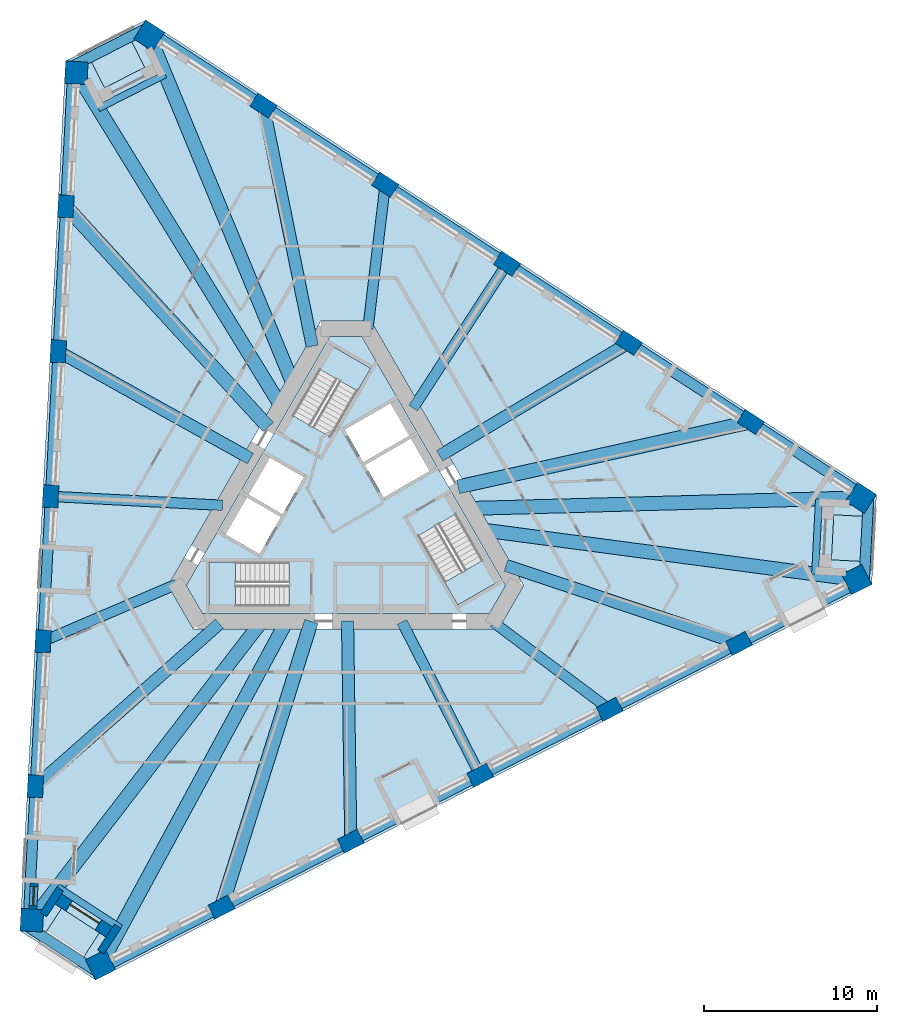
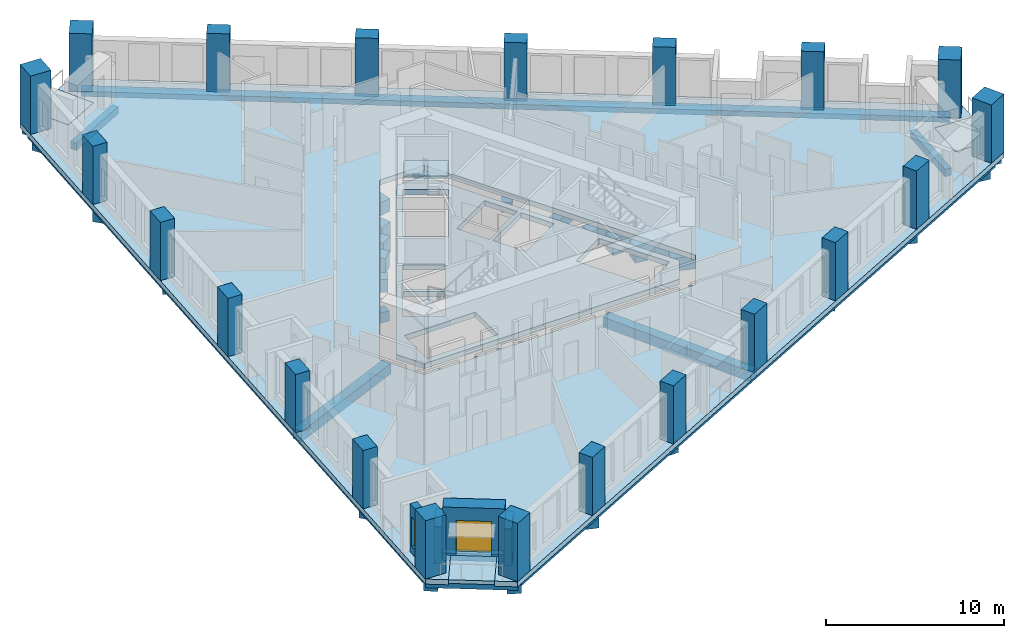
# One storey, part 1 of 12: 30 beams, 21 columns, 8 slabs, 4 walls, 1 door, 1 window, 2 openings, 3 elements without a shape of their own.
"""IFC4 building model written with IfcOpenShell, lengths in metres."""

from ifc_helpers import new_model, si_unit, direction, frame, frame_2d, origin, origin_2d, place, context, subcontext, project, spatial, polyline, rectangle, outline, extrude, material, layer, layer_set, material_profile, profile_set, type_object, element, fill, aggregate, save


model = new_model("IFC4")

# Units and contexts
model_context = context("Model", 3, precision=1e-05, world=origin(), true_north=direction((0.0, 1.0)))
body_context = subcontext(model_context, "Body", "Model", "MODEL_VIEW")
ifc_project = project(units=[si_unit("LENGTHUNIT", "METRE"), si_unit("AREAUNIT", "SQUARE_METRE"), si_unit("VOLUMEUNIT", "CUBIC_METRE"), si_unit("PLANEANGLEUNIT", "RADIAN"), si_unit("MASSUNIT", "GRAM", prefix="KILO")], contexts=[model_context])

# Site, building, storey
site_placement = place(None, origin())
site = spatial("IfcSite", under=ifc_project, at=site_placement, CompositionType="ELEMENT")
building_placement = place(site_placement, origin())
building = spatial("IfcBuilding", under=site, at=building_placement, Name="Tramontana Tower", CompositionType="ELEMENT")
storey_placement = place(building_placement, frame((0.0, 0.0, 129.60009765625)))
storey = spatial("IfcBuildingStorey", under=building, at=storey_placement, Name="L29", CompositionType="ELEMENT", Elevation=129.60009765625)

# Columns
ifc_material_1 = material(Name="Concrete 70 MPa", Category="concrete")
ifc_material_profile_1 = material_profile(ifc_material_1, rectangle(XDim=1.300048828125, YDim=1.300048828125, at=origin_2d()), Name="Mega column 1300X1300 70 MPa")
ifc_profile_set_1 = profile_set([ifc_material_profile_1], Name="Concrete 70 MPa")
column_type_1 = type_object("IfcColumnType", Name="Mega column 1300X1300 70 MPa", PredefinedType="COLUMN", material=ifc_profile_set_1)
for number, where, z_axis, x_axis, name in (
    (1, (-15.546630859375, 25.31298828125, 0.0), (0.0, 0.0, 1.0), (-0.052335956243, -0.998629534755, 0.0), "Mega column C3K1 L29"),
    (2, (-18.107177734375, -23.54931640625, 0.0), (0.0, 0.0, 1.0), (-0.052335956243, -0.998629534755, 0.0), "Mega column C3K2 L29"),
    (3, (-14.1484375, -26.1201171875, 0.0), (0.0, 0.0, 1.0), (0.891006524188, 0.45399049974, 0.0), "Mega column C3K3 L29"),
    (4, (29.447998046875, -3.90673828125, 0.0), (0.0, 0.0, 1.0), (0.891006524188, 0.45399049974, 0.0), "Mega column C3K4 L29"),
    (5, (29.695068359375, 0.80712890625, 0.0), (0.0, 0.0, 1.0), (-0.838670567945, 0.544639035015, 0.0), "Mega column C3K5 L29"),
    (6, (-11.340576171875, 27.4560546875, 0.0), (0.0, 0.0, 1.0), (-0.838670567945, 0.544639035015, 0.0), "Mega column C3K6 L29"),
):
    element("IfcColumn", number, at=place(storey_placement, frame(where, z_axis=z_axis, x_axis=x_axis)), inside=storey, type_object=column_type_1, Name=name, PredefinedType="COLUMN", context=body_context, shape_type="SweptSolid", body=[
        extrude(rectangle(XDim=1.300048828125, YDim=1.300048828125, at=origin_2d()), origin(), (0.0, 0.0, 1.0), 4.0),
    ])
ifc_material_2 = material(Name="Concrete 55 MPa", Category="concrete")
ifc_material_profile_2 = material_profile(ifc_material_2, rectangle(XDim=1.300048828125, YDim=0.89990234375, at=origin_2d()), Name="Pier column 1300X900 55 MPa")
ifc_profile_set_2 = profile_set([ifc_material_profile_2], Name="Concrete 55 MPa")
column_type_2 = type_object("IfcColumnType", Name="Pier column 1300X900 55 MPa", PredefinedType="COLUMN", material=ifc_profile_set_2)
for number, where, z_axis, x_axis, name in (
    (7, (-16.150390625, 17.612548828125, 0.0), (0.0, 0.0, 1.0), (-0.052335956243, -0.998629534755, 0.0), "Pier column C3F01 L29"),
    (8, (-16.58837890625, 9.25244140625, 0.0), (0.0, 0.0, 1.0), (-0.052335956243, -0.998629534755, 0.0), "Pier column C3F02 L29"),
    (9, (-17.026611328125, 0.892333984375, 0.0), (0.0, 0.0, 1.0), (-0.052335956243, -0.998629534755, 0.0), "Pier column C3F03 L29"),
    (10, (-17.46484375, -7.4677734375, 0.0), (0.0, 0.0, 1.0), (-0.052335956243, -0.998629534755, 0.0), "Pier column C3F04 L29"),
    (11, (-17.90283203125, -15.827880859375, 0.0), (0.0, 0.0, 1.0), (-0.052335956243, -0.998629534755, 0.0), "Pier column C3F05 L29"),
    (12, (-7.177734375, -22.79296875, 0.0), (0.0, 0.0, 1.0), (0.891006524188, 0.45399049974, 0.0), "Pier column C3F06 L29"),
    (13, (0.281494140625, -18.9921875, 0.0), (0.0, 0.0, 1.0), (0.891006524188, 0.45399049974, 0.0), "Pier column C3F07 L29"),
    (14, (7.740478515625, -15.191650390625, 0.0), (0.0, 0.0, 1.0), (0.891006524188, 0.45399049974, 0.0), "Pier column C3F08 L29"),
    (15, (15.19970703125, -11.39111328125, 0.0), (0.0, 0.0, 1.0), (0.891006524188, 0.45399049974, 0.0), "Pier column C3F09 L29"),
    (16, (22.65869140625, -7.59033203125, 0.0), (0.0, 0.0, 1.0), (0.891006524188, 0.45399049974, 0.0), "Pier column C3F10 L29"),
    (17, (23.328125, 5.180419921875, 0.0), (0.0, 0.0, 1.0), (-0.838670567945, 0.544639035015, 0.0), "Pier column C3F11 L29"),
    (18, (16.30712890625, 9.73974609375, 0.0), (0.0, 0.0, 1.0), (-0.838670567945, 0.544639035015, 0.0), "Pier column C3F12 L29"),
    (19, (9.2861328125, 14.29931640625, 0.0), (0.0, 0.0, 1.0), (-0.838670567945, 0.544639035015, 0.0), "Pier column C3F13 L29"),
    (20, (2.26513671875, 18.85888671875, 0.0), (0.0, 0.0, 1.0), (-0.838670567945, 0.544639035015, 0.0), "Pier column C3F14 L29"),
    (21, (-4.755859375, 23.418212890625, 0.0), (0.0, 0.0, 1.0), (-0.838670567945, 0.544639035015, 0.0), "Pier column C3F15 L29"),
):
    element("IfcColumn", number, at=place(storey_placement, frame(where, z_axis=z_axis, x_axis=x_axis)), inside=storey, type_object=column_type_2, Name=name, PredefinedType="COLUMN", context=body_context, shape_type="SweptSolid", body=[
        extrude(rectangle(XDim=1.300048828125, YDim=0.89990234375, at=origin_2d()), origin(), (0.0, 0.0, 1.0), 4.0),
    ])

# Beams
ifc_material_3 = material(Name="Concrete 40 MPa", Category="concrete")
ifc_material_profile_3 = material_profile(ifc_material_3, rectangle(XDim=0.60009765625, YDim=0.35009765625, at=origin_2d()), Name="RC EDGE BEAM 600X350 40 MPa")
ifc_profile_set_3 = profile_set([ifc_material_profile_3], Name="Concrete 40 MPa")
beam_type_1 = type_object("IfcBeamType", Name="RC EDGE BEAM 600X350 40 MPa", PredefinedType="SPANDREL", material=ifc_profile_set_3)
for number, where, z_axis, x_axis, name in (
    (22, (-15.74609375, 25.323486328125, -0.525146484375), (-0.052336488944, -0.998629506837, 0.0), (0.998629506837, -0.052336488944, 0.0), "Spandrel beam S0 L29"),
    (23, (-14.0576171875, -26.29833984375, -0.525146484375), (0.89100747088, 0.453988641748, 0.0), (-0.453988641748, 0.89100747088, 0.0), "Spandrel beam S1 L29"),
    (24, (29.803955078125, 0.974853515625, -0.525146484375), (-0.838669945923, 0.544639992844, 0.0), (-0.544639992844, -0.838669945923, 0.0), "Spandrel beam S2 L29"),
):
    element("IfcBeam", number, at=place(storey_placement, frame(where, z_axis=z_axis, x_axis=x_axis)), inside=storey, type_object=beam_type_1, Name=name, PredefinedType="SPANDREL", context=body_context, shape_type="SweptSolid", body=[
        extrude(rectangle(XDim=0.60009765625, YDim=0.35009765625, at=origin_2d()), origin(), (0.0, 0.0, 1.0), 48.929443359375),
    ])
for number, where, z_axis, x_axis, name in (
    (25, (-11.327392578125, 27.9541015625, -0.525146484375), (-0.891018699398, -0.453966603753, 0.0), (0.453966603753, -0.891018699398, 0.0), "Spandrel beam K0 L29"),
    (26, (-18.54541015625, -23.787109375, -0.525146484375), (0.838668969916, -0.544641495757, 0.0), (0.544641495757, 0.838668969916, 0.0), "Spandrel beam K1 L29"),
):
    element("IfcBeam", number, at=place(storey_placement, frame(where, z_axis=z_axis, x_axis=x_axis)), inside=storey, type_object=beam_type_1, Name=name, PredefinedType="SPANDREL", context=body_context, shape_type="SweptSolid", body=[
        extrude(rectangle(XDim=0.60009765625, YDim=0.35009765625, at=origin_2d()), origin(), (0.0, 0.0, 1.0), 5.1962890625),
    ])
beam_1_placement = place(storey_placement, frame((29.872802734375, -4.167236328125, -0.525146484375), z_axis=(0.052341816109, 0.998629227635, 0.0), x_axis=(-0.998629227635, 0.052341816109, 0.0)))
element("IfcBeam", 27, at=beam_1_placement, inside=storey, type_object=beam_type_1, Name="Spandrel beam K2 L29", PredefinedType="SPANDREL", context=body_context, shape_type="SweptSolid", body=[
    extrude(rectangle(XDim=0.60009765625, YDim=0.35009765625, at=origin_2d()), origin(), (0.0, 0.0, 1.0), 5.196044921875),
])
ifc_material_4 = material(Name="Concrete 40 MPa", Category="concrete")
ifc_material_profile_4 = material_profile(ifc_material_4, rectangle(XDim=0.60009765625, YDim=0.699951171875, at=origin_2d()), Name="RC GIRDER 600X700 40 MPa")
ifc_profile_set_4 = profile_set([ifc_material_profile_4], Name="Concrete 40 MPa")
beam_type_2 = type_object("IfcBeamType", Name="RC GIRDER 600X700 40 MPa", PredefinedType="BEAM", material=ifc_profile_set_4)
beam_2_placement = place(storey_placement, frame((-17.026611328125, 0.892333984375, -0.7001953125), z_axis=(0.998628816447, -0.052349660575, 0.0), x_axis=(0.052349660575, 0.998628816447, 0.0)))
element("IfcBeam", 28, at=beam_2_placement, inside=storey, type_object=beam_type_2, Name="Radial girder C3F03 L29", PredefinedType="BEAM", context=body_context, shape_type="SweptSolid", body=[
    extrude(rectangle(XDim=0.60009765625, YDim=0.699951171875, at=origin_2d()), origin(), (0.0, 0.0, 1.0), 9.92431640625),
])
beam_3_placement = place(storey_placement, frame((-17.46484375, -7.4677734375, -0.7001953125), z_axis=(0.919473795441, 0.393151293394, 0.0), x_axis=(-0.393151293394, 0.919473795441, 0.0)))
element("IfcBeam", 29, at=beam_3_placement, inside=storey, type_object=beam_type_2, Name="Radial girder C3F04 L29", PredefinedType="BEAM", context=body_context, shape_type="SweptSolid", body=[
    extrude(rectangle(XDim=0.60009765625, YDim=0.699951171875, at=origin_2d()), origin(), (0.0, 0.0, 1.0), 8.365234375),
])
beam_4_placement = place(storey_placement, frame((7.740478515625, -15.191650390625, -0.7001953125), z_axis=(-0.453980690523, 0.891011522166, 0.0), x_axis=(-0.891011522166, -0.453980690523, 0.0)))
element("IfcBeam", 30, at=beam_4_placement, inside=storey, type_object=beam_type_2, Name="Radial girder C3F08 L29", PredefinedType="BEAM", context=body_context, shape_type="SweptSolid", body=[
    extrude(rectangle(XDim=0.60009765625, YDim=0.699951171875, at=origin_2d()), origin(), (0.0, 0.0, 1.0), 9.924072265625),
])
beam_5_placement = place(storey_placement, frame((15.19970703125, -11.39111328125, -0.7001953125), z_axis=(-0.800213580839, 0.599715119904, 0.0), x_axis=(-0.599715119904, -0.800213580839, 0.0)))
element("IfcBeam", 31, at=beam_5_placement, inside=storey, type_object=beam_type_2, Name="Radial girder C3F09 L29", PredefinedType="BEAM", context=body_context, shape_type="SweptSolid", body=[
    extrude(rectangle(XDim=0.60009765625, YDim=0.699951171875, at=origin_2d()), origin(), (0.0, 0.0, 1.0), 8.365478515625),
])
beam_6_placement = place(storey_placement, frame((9.2861328125, 14.29931640625, -0.7001953125), z_axis=(-0.54464589271, -0.838666114466, 0.0), x_axis=(0.838666114466, -0.54464589271, 0.0)))
element("IfcBeam", 32, at=beam_6_placement, inside=storey, type_object=beam_type_2, Name="Radial girder C3F13 L29", PredefinedType="BEAM", context=body_context, shape_type="SweptSolid", body=[
    extrude(rectangle(XDim=0.60009765625, YDim=0.699951171875, at=origin_2d()), origin(), (0.0, 0.0, 1.0), 9.92431640625),
])
beam_7_placement = place(storey_placement, frame((2.26513671875, 18.85888671875, -0.7001953125), z_axis=(-0.119248793527, -0.992864404258, 0.0), x_axis=(0.992864404258, -0.119248793527, 0.0)))
element("IfcBeam", 33, at=beam_7_placement, inside=storey, type_object=beam_type_2, Name="Radial girder C3F14 L29", PredefinedType="BEAM", context=body_context, shape_type="SweptSolid", body=[
    extrude(rectangle(XDim=0.60009765625, YDim=0.699951171875, at=origin_2d()), origin(), (0.0, 0.0, 1.0), 8.365234375),
])
ifc_material_5 = material(Name="Concrete 40 MPa", Category="concrete")
ifc_material_profile_5 = material_profile(ifc_material_5, rectangle(XDim=0.699951171875, YDim=0.89990234375, at=origin_2d()), Name="RC GIRDER 700X900 40 MPa")
ifc_profile_set_5 = profile_set([ifc_material_profile_5], Name="Concrete 40 MPa")
beam_type_3 = type_object("IfcBeamType", Name="RC GIRDER 700X900 40 MPa", PredefinedType="BEAM", material=ifc_profile_set_5)
beam_8_placement = place(storey_placement, frame((-16.58837890625, 9.25244140625, -0.800048828125), z_axis=(0.873332247198, -0.487125020917, 0.0), x_axis=(0.487125020917, 0.873332247198, 0.0)))
element("IfcBeam", 34, at=beam_8_placement, inside=storey, type_object=beam_type_3, Name="Radial girder C3F02 L29", PredefinedType="BEAM", context=body_context, shape_type="SweptSolid", body=[
    extrude(rectangle(XDim=0.699951171875, YDim=0.89990234375, at=origin_2d()), origin(), (0.0, 0.0, 1.0), 12.693603515625),
])
beam_9_placement = place(storey_placement, frame((-17.90283203125, -15.827880859375, -0.800048828125), z_axis=(0.74918417634, 0.662361736456, 0.0), x_axis=(-0.662361736456, 0.74918417634, 0.0)))
element("IfcBeam", 35, at=beam_9_placement, inside=storey, type_object=beam_type_3, Name="Radial girder C3F05 L29", PredefinedType="BEAM", context=body_context, shape_type="SweptSolid", body=[
    extrude(rectangle(XDim=0.699951171875, YDim=0.89990234375, at=origin_2d()), origin(), (0.0, 0.0, 1.0), 14.1552734375),
])
beam_10_placement = place(storey_placement, frame((0.281494140625, -18.9921875, -0.800048828125), z_axis=(-0.014829000023, 0.999890044334, 0.0), x_axis=(-0.999890044334, -0.014829000023, 0.0)))
element("IfcBeam", 36, at=beam_10_placement, inside=storey, type_object=beam_type_3, Name="Radial girder C3F07 L29", PredefinedType="BEAM", context=body_context, shape_type="SweptSolid", body=[
    extrude(rectangle(XDim=0.699951171875, YDim=0.89990234375, at=origin_2d()), origin(), (0.0, 0.0, 1.0), 12.693603515625),
])
beam_11_placement = place(storey_placement, frame((22.65869140625, -7.59033203125, -0.800048828125), z_axis=(-0.948211400457, 0.317639953476, 0.0), x_axis=(-0.317639953476, -0.948211400457, 0.0)))
element("IfcBeam", 37, at=beam_11_placement, inside=storey, type_object=beam_type_3, Name="Radial girder C3F10 L29", PredefinedType="BEAM", context=body_context, shape_type="SweptSolid", body=[
    extrude(rectangle(XDim=0.699951171875, YDim=0.89990234375, at=origin_2d()), origin(), (0.0, 0.0, 1.0), 14.155517578125),
])
beam_12_placement = place(storey_placement, frame((16.30712890625, 9.73974609375, -0.800048828125), z_axis=(-0.858533155932, -0.512758052268, 0.0), x_axis=(0.512758052268, -0.858533155932, 0.0)))
element("IfcBeam", 38, at=beam_12_placement, inside=storey, type_object=beam_type_3, Name="Radial girder C3F12 L29", PredefinedType="BEAM", context=body_context, shape_type="SweptSolid", body=[
    extrude(rectangle(XDim=0.699951171875, YDim=0.89990234375, at=origin_2d()), origin(), (0.0, 0.0, 1.0), 12.693603515625),
])
beam_13_placement = place(storey_placement, frame((-4.755859375, 23.418212890625, -0.800048828125), z_axis=(0.199014115168, -0.979996623445, 0.0), x_axis=(0.979996623445, 0.199014115168, 0.0)))
element("IfcBeam", 39, at=beam_13_placement, inside=storey, type_object=beam_type_3, Name="Radial girder C3F15 L29", PredefinedType="BEAM", context=body_context, shape_type="SweptSolid", body=[
    extrude(rectangle(XDim=0.699951171875, YDim=0.89990234375, at=origin_2d()), origin(), (0.0, 0.0, 1.0), 14.155517578125),
])
ifc_material_6 = material(Name="Concrete 40 MPa", Category="concrete")
ifc_material_profile_6 = material_profile(ifc_material_6, rectangle(XDim=0.800048828125, YDim=1.10009765625, at=origin_2d()), Name="RC GIRDER 800X1100 40 MPa")
ifc_profile_set_6 = profile_set([ifc_material_profile_6], Name="Concrete 40 MPa")
beam_type_4 = type_object("IfcBeamType", Name="RC GIRDER 800X1100 40 MPa", PredefinedType="BEAM", material=ifc_profile_set_6)
beam_14_placement = place(storey_placement, frame((-15.54638671875, 25.31298828125, -0.900146484375), z_axis=(0.523345221795, -0.852120753664, 0.0), x_axis=(0.852120753664, 0.523345221795, 0.0)))
element("IfcBeam", 40, at=beam_14_placement, inside=storey, type_object=beam_type_4, Name="Radial girder C3K1 L29", PredefinedType="BEAM", context=body_context, shape_type="SweptSolid", body=[
    extrude(rectangle(XDim=0.800048828125, YDim=1.10009765625, at=origin_2d()), origin(), (0.0, 0.0, 1.0), 22.479248046875),
])
beam_15_placement = place(storey_placement, frame((-16.150390625, 17.612548828125, -0.900146484375), z_axis=(0.675852012308, -0.737037351469, 0.0), x_axis=(0.737037351469, 0.675852012308, 0.0)))
element("IfcBeam", 41, at=beam_15_placement, inside=storey, type_object=beam_type_4, Name="Radial girder C3F01 L29", PredefinedType="BEAM", context=body_context, shape_type="SweptSolid", body=[
    extrude(rectangle(XDim=0.800048828125, YDim=1.10009765625, at=origin_2d()), origin(), (0.0, 0.0, 1.0), 17.26953125),
])
beam_16_placement = place(storey_placement, frame((-18.107421875, -23.54931640625, -0.900146484375), z_axis=(0.609557551485, 0.792741818896, 0.0), x_axis=(-0.792741818896, 0.609557551485, 0.0)))
element("IfcBeam", 42, at=beam_16_placement, inside=storey, type_object=beam_type_4, Name="Radial girder C3K2 L29", PredefinedType="BEAM", context=body_context, shape_type="SweptSolid", body=[
    extrude(rectangle(XDim=0.800048828125, YDim=1.10009765625, at=origin_2d()), origin(), (0.0, 0.0, 1.0), 21.641357421875),
])
beam_17_placement = place(storey_placement, frame((-14.1484375, -26.1201171875, -0.900146484375), z_axis=(0.476284198163, 0.879291397991, 0.0), x_axis=(-0.879291397991, 0.476284198163, 0.0)))
element("IfcBeam", 43, at=beam_17_placement, inside=storey, type_object=beam_type_4, Name="Radial girder C3K3 L29", PredefinedType="BEAM", context=body_context, shape_type="SweptSolid", body=[
    extrude(rectangle(XDim=0.800048828125, YDim=1.10009765625, at=origin_2d()), origin(), (0.0, 0.0, 1.0), 22.479248046875),
])
beam_18_placement = place(storey_placement, frame((-7.177734375, -22.79296875, -0.900146484375), z_axis=(0.300368764095, 0.953823152139, 0.0), x_axis=(-0.953823152139, 0.300368764095, 0.0)))
element("IfcBeam", 44, at=beam_18_placement, inside=storey, type_object=beam_type_4, Name="Radial girder C3F06 L29", PredefinedType="BEAM", context=body_context, shape_type="SweptSolid", body=[
    extrude(rectangle(XDim=0.800048828125, YDim=1.10009765625, at=origin_2d()), origin(), (0.0, 0.0, 1.0), 17.26953125),
])
beam_19_placement = place(storey_placement, frame((29.447998046875, -3.90673828125, -0.900146484375), z_axis=(-0.991313997986, 0.131516376914, 0.0), x_axis=(-0.131516376914, -0.991313997986, 0.0)))
element("IfcBeam", 45, at=beam_19_placement, inside=storey, type_object=beam_type_4, Name="Radial girder C3K4 L29", PredefinedType="BEAM", context=body_context, shape_type="SweptSolid", body=[
    extrude(rectangle(XDim=0.800048828125, YDim=1.10009765625, at=origin_2d()), origin(), (0.0, 0.0, 1.0), 21.641357421875),
])
beam_20_placement = place(storey_placement, frame((29.695068359375, 0.80712890625, -0.900146484375), z_axis=(-0.999630732276, -0.027173499768, 0.0), x_axis=(0.027173499768, -0.999630732276, 0.0)))
element("IfcBeam", 46, at=beam_20_placement, inside=storey, type_object=beam_type_4, Name="Radial girder C3K5 L29", PredefinedType="BEAM", context=body_context, shape_type="SweptSolid", body=[
    extrude(rectangle(XDim=0.800048828125, YDim=1.10009765625, at=origin_2d()), origin(), (0.0, 0.0, 1.0), 22.479248046875),
])
beam_21_placement = place(storey_placement, frame((23.328125, 5.180419921875, -0.900146484375), z_axis=(-0.976217985391, -0.216791247516, 0.0), x_axis=(0.216791247516, -0.976217985391, 0.0)))
element("IfcBeam", 47, at=beam_21_placement, inside=storey, type_object=beam_type_4, Name="Radial girder C3F11 L29", PredefinedType="BEAM", context=body_context, shape_type="SweptSolid", body=[
    extrude(rectangle(XDim=0.800048828125, YDim=1.10009765625, at=origin_2d()), origin(), (0.0, 0.0, 1.0), 17.26953125),
])
beam_22_placement = place(storey_placement, frame((-11.3408203125, 27.4560546875, -0.900146484375), z_axis=(0.381767486968, -0.924258397795, 0.0), x_axis=(0.924258397795, 0.381767486968, 0.0)))
element("IfcBeam", 48, at=beam_22_placement, inside=storey, type_object=beam_type_4, Name="Radial girder C3K6 L29", PredefinedType="BEAM", context=body_context, shape_type="SweptSolid", body=[
    extrude(rectangle(XDim=0.800048828125, YDim=1.10009765625, at=origin_2d()), origin(), (0.0, 0.0, 1.0), 21.641357421875),
])
ifc_material_7 = material(Name="Concrete 40 MPa", Category="concrete")
ifc_material_profile_7 = material_profile(ifc_material_7, rectangle(XDim=0.39990234375, YDim=0.5, at=origin_2d()), Name="RC TRIM BEAM 400X500 40 MPa")
ifc_profile_set_7 = profile_set([ifc_material_profile_7], Name="Concrete 40 MPa")
beam_type_5 = type_object("IfcBeamType", Name="RC TRIM BEAM 400X500 40 MPa", PredefinedType="JOIST", material=ifc_profile_set_7)
for number, where, z_axis, x_axis, name in (
    (49, (-10.4169921875, 25.219482421875, -0.60009765625), (-0.891023167183, -0.453957834544, 0.0), (0.453957834544, -0.891023167183, 0.0), "Trimmer beam K0 L29"),
    (50, (-16.63232421875, -21.631103515625, -0.60009765625), (0.838651964019, -0.544667681479, 0.0), (0.544667681479, 0.838651964019, 0.0), "Trimmer beam K1 L29"),
    (51, (27.04931640625, -3.58837890625, -0.60009765625), (0.052310576439, 0.99863086453, 0.0), (-0.99863086453, 0.052310576439, 0.0), "Trimmer beam K2 L29"),
):
    element("IfcBeam", number, at=place(storey_placement, frame(where, z_axis=z_axis, x_axis=x_axis)), inside=storey, type_object=beam_type_5, Name=name, PredefinedType="JOIST", context=body_context, shape_type="SweptSolid", body=[
        extrude(rectangle(XDim=0.39990234375, YDim=0.5, at=origin_2d()), origin(), (0.0, 0.0, 1.0), 4.335693359375),
    ])

# Slabs
ifc_material_8 = material(Name="Precast concrete 50 MPa", Category="concrete")
ifc_layer_1 = layer(ifc_material_8, 0.25)
ifc_layer_set_1 = layer_set([ifc_layer_1], Name="LT1 Loggia floor tray 250")
slab_type_1 = type_object("IfcSlabType", Name="LT1 Loggia floor tray 250", PredefinedType="FLOOR", material=ifc_layer_set_1)
slab_1_placement = place(storey_placement, frame((0.0, 0.0, -0.25)))
element("IfcSlab", 52, at=slab_1_placement, inside=storey, type_object=slab_type_1, Name="Corner loggia floor L29 K30", PredefinedType="FLOOR", context=body_context, shape_type="SweptSolid", body=[
    extrude(outline(polyline([(-12.6884765625, 27.765869140625), (-11.598876953125, 25.62744140625), (-13.91552734375, 24.447021484375), (-15.005126953125, 26.58544921875), (-12.6884765625, 27.765869140625)])), origin(), (0.0, 0.0, 1.0), 0.25),
])
slab_2_placement = place(storey_placement, frame((0.0, 0.0, -0.25)))
element("IfcSlab", 53, at=slab_2_placement, inside=storey, type_object=slab_type_1, Name="Corner loggia floor L29 K31", PredefinedType="FLOOR", context=body_context, shape_type="SweptSolid", body=[
    extrude(outline(polyline([(-17.70166015625, -24.871337890625), (-16.39453125, -22.858642578125), (-14.214111328125, -24.274658203125), (-15.521240234375, -26.28759765625), (-17.70166015625, -24.871337890625)])), origin(), (0.0, 0.0, 1.0), 0.25),
])
slab_3_placement = place(storey_placement, frame((0.0, 0.0, -0.25)))
element("IfcSlab", 54, at=slab_3_placement, inside=storey, type_object=slab_type_1, Name="Corner loggia floor L29 K32", PredefinedType="FLOOR", context=body_context, shape_type="SweptSolid", body=[
    extrude(outline(polyline([(30.39013671875, -2.89453125), (27.993408203125, -2.768798828125), (28.129638671875, -0.17236328125), (30.526123046875, -0.298095703125), (30.39013671875, -2.89453125)])), origin(), (0.0, 0.0, 1.0), 0.25),
])
ifc_material_9 = material(Name="Concrete 40 MPa", Category="concrete")
ifc_layer_2 = layer(ifc_material_9, 0.35009765625)
ifc_layer_set_2 = layer_set([ifc_layer_2], Name="PT FLAT SLAB 350 40 MPa")
slab_type_2 = type_object("IfcSlabType", Name="PT FLAT SLAB 350 40 MPa", PredefinedType="FLOOR", material=ifc_layer_set_2)
slab_4_placement = place(storey_placement, frame((0.0, 0.0, -0.35009765625)))
element("IfcSlab", 55, at=slab_4_placement, inside=storey, type_object=slab_type_2, Name="Floor slab L29", PredefinedType="FLOOR", context=body_context, shape_type="SweptSolid", body=[
    extrude(outline(polyline([(30.526123046875, -0.298095703125), (28.12939453125, -0.17236328125), (27.993408203125, -2.768798828125), (30.39013671875, -2.89453125), (30.322265625, -4.19091796875), (-14.4326171875, -26.994384765625), (-15.521240234375, -26.28759765625), (-14.214111328125, -24.274658203125), (-16.39453125, -22.858642578125), (-17.701904296875, -24.871337890625), (-18.790283203125, -24.164306640625), (-16.16162109375, 25.99609375), (-15.0048828125, 26.58544921875), (-13.915283203125, 24.447021484375), (-11.598876953125, 25.62744140625), (-12.6884765625, 27.765869140625), (-11.53173828125, 28.355224609375), (30.59423828125, 0.998291015625), (30.526123046875, -0.298095703125)]), holes=[polyline([(-10.248046875, -4.25), (-8.8046875, -6.75), (8.8046875, -6.75), (10.248046875, -4.25), (1.443359375, 11.0), (-1.443359375, 11.0), (-10.248046875, -4.25)])]), origin(), (0.0, 0.0, 1.0), 0.35009765625),
])
slab_5_placement = place(storey_placement, frame((0.0, 0.0, -0.35009765625)))
element("IfcSlab", 56, at=slab_5_placement, inside=storey, type_object=slab_type_2, Name="Core floor slab L29", PredefinedType="FLOOR", context=body_context, shape_type="SweptSolid", body=[
    extrude(outline(polyline([(9.208740234375, -4.25), (8.284912109375, -5.85009765625), (-8.284912109375, -5.85009765625), (-9.208740234375, -4.25), (-0.923828125, 10.10009765625), (0.923828125, 10.10009765625), (9.208740234375, -4.25)]), holes=[polyline([(8.659912109375, -4.099365234375), (6.35986328125, -0.115478515625), (4.151611328125, -1.390625), (6.451416015625, -5.374267578125), (8.659912109375, -4.099365234375)]), polyline([(3.829833984375, 4.2666015625), (1.101806640625, 2.69140625), (2.177001953125, 0.82958984375), (4.90478515625, 2.404541015625), (3.829833984375, 4.2666015625)]), polyline([(2.65478515625, 6.3017578125), (-0.072998046875, 4.726806640625), (1.001953125, 2.86474609375), (3.729736328125, 4.439697265625), (2.65478515625, 6.3017578125)]), polyline([(-0.77978515625, 9.54931640625), (-3.079833984375, 5.565673828125), (-0.87158203125, 4.29052734375), (1.428466796875, 8.2744140625), (-0.77978515625, 9.54931640625)]), polyline([(-5.689697265625, 1.044921875), (-3.65478515625, -0.130126953125), (-2.4296875, 1.99169921875), (-4.46484375, 3.166748046875), (-5.689697265625, 1.044921875)]), polyline([(-3.280029296875, -5.449951171875), (-3.280029296875, -2.89990234375), (-7.8798828125, -2.89990234375), (-7.8798828125, -5.449951171875), (-3.280029296875, -5.449951171875)]), polyline([(-7.014892578125, -1.25), (-4.979736328125, -2.425048828125), (-3.754638671875, -0.30322265625), (-5.789794921875, 0.87158203125), (-7.014892578125, -1.25)])]), origin(), (0.0, 0.0, 1.0), 0.35009765625),
])

# Stair, slab
ifc_material_10 = material(Name="Concrete 40 MPa", Category="concrete")
stair_type = type_object("IfcStairType", Name="EXIT STAIR 24 RISERS", PredefinedType="HALF_TURN_STAIR", material=ifc_material_10)
stair_1_placement = place(storey_placement, origin())
stair_1 = element("IfcStair", 57, at=stair_1_placement, inside=storey, type_object=stair_type, Name="L29 Exit stair ST1", PredefinedType="HALF_TURN_STAIR")
ifc_material_11 = material(Name="Concrete 40 MPa", Category="concrete")
ifc_layer_3 = layer(ifc_material_11, 0.199951171875)
ifc_layer_set_3 = layer_set([ifc_layer_3], Name="STAIR LANDING 200")
slab_type_3 = type_object("IfcSlabType", Name="STAIR LANDING 200", PredefinedType="LANDING", material=ifc_layer_set_3)
slab_6_placement = place(storey_placement, frame((0.0, 0.0, 1.7998046875)))
slab_6 = element("IfcSlab", 58, at=slab_6_placement, type_object=slab_type_3, Name="ST1 landing 1", PredefinedType="LANDING", context=body_context, shape_type="SweptSolid", body=[
    extrude(outline(polyline([(0.66845703125, 6.9580078125), (1.428466796875, 8.274169921875), (-0.77978515625, 9.54931640625), (-1.539794921875, 8.23291015625), (0.66845703125, 6.9580078125)])), origin(), (0.0, 0.0, 1.0), 0.2001953125),
])
aggregate(stair_1, [slab_6])

stair_2_placement = place(storey_placement, origin())
stair_2 = element("IfcStair", 59, at=stair_2_placement, inside=storey, type_object=stair_type, Name="L29 Exit stair ST2", PredefinedType="HALF_TURN_STAIR")
slab_7_placement = place(storey_placement, frame((0.0, 0.0, 1.7998046875)))
slab_7 = element("IfcSlab", 60, at=slab_7_placement, type_object=slab_type_3, Name="ST2 landing 1", PredefinedType="LANDING", context=body_context, shape_type="SweptSolid", body=[
    extrude(outline(polyline([(-6.360107421875, -2.89990234375), (-7.8798828125, -2.89990234375), (-7.8798828125, -5.449951171875), (-6.360107421875, -5.449951171875), (-6.360107421875, -2.89990234375)])), origin(), (0.0, 0.0, 1.0), 0.2001953125),
])
aggregate(stair_2, [slab_7])

stair_3_placement = place(storey_placement, origin())
stair_3 = element("IfcStair", 61, at=stair_3_placement, inside=storey, type_object=stair_type, Name="L29 Exit stair ST3", PredefinedType="HALF_TURN_STAIR")
slab_8_placement = place(storey_placement, frame((0.0, 0.0, 1.7998046875)))
slab_8 = element("IfcSlab", 62, at=slab_8_placement, type_object=slab_type_3, Name="ST3 landing 1", PredefinedType="LANDING", context=body_context, shape_type="SweptSolid", body=[
    extrude(outline(polyline([(5.69140625, -4.057861328125), (6.451416015625, -5.374267578125), (8.659912109375, -4.099365234375), (7.89990234375, -2.782958984375), (5.69140625, -4.057861328125)])), origin(), (0.0, 0.0, 1.0), 0.2001953125),
])
aggregate(stair_3, [slab_8])

# Wall, opening, window
ifc_material_12 = material(Name="Precast concrete 60 MPa", Category="concrete")
ifc_layer_4 = layer(ifc_material_12, 0.449951171875)
ifc_layer_set_4 = layer_set([ifc_layer_4], Name="Precast concrete 60 MPa, 450 mm")
wall_type_1 = type_object("IfcWallType", Name="EW1 Stone-faced precast wall 450", PredefinedType="SOLIDWALL", material=ifc_layer_set_4)
wall_1_placement = place(storey_placement, frame((-17.97021484375, -21.4130859375, 0.0), z_axis=(0.0, 0.0, 1.0), x_axis=(-0.052412688754, -0.998625510418, 0.0)))
wall_1 = element("IfcWall", 63, at=wall_1_placement, inside=storey, type_object=wall_type_1, Name="External wall L29 face 0 bay 6", PredefinedType="SOLIDWALL", context=body_context, shape_type="SweptSolid", body=[
    extrude(rectangle(XDim=1.490478515625, YDim=0.449951171875, at=frame_2d((0.7451171875, 0.0))), origin(), (0.0, 0.0, 1.0), 3.2998046875),
])
opening_1_placement = place(wall_1_placement, frame((0.1953125, 0.0, 0.5)))
opening_1 = element("IfcOpeningElement", 64, at=opening_1_placement, cuts=wall_1, Name="Opening N2L", PredefinedType="OPENING", context=body_context, shape_type="SweptSolid", body=[
    extrude(rectangle(XDim=1.10009765625, YDim=2.0, at=frame_2d((0.550048828125, 1.0))), frame((0.0, 0.23486328125, 0.0), z_axis=(0.0, -1.0, 0.0), x_axis=(1.0, 0.0, 0.0)), (0.0, 0.0, 1.0), 0.469970703125),
])
ifc_material_13 = material(Name="Aluminum frame, double glazing unit", Category="aluminium")
window_type = type_object("IfcWindowType", Name="N2L Window 1.1 x 2", PartitioningType="SINGLE_PANEL", PredefinedType="WINDOW", material=ifc_material_13)
window_placement = place(opening_1_placement, origin())
window = element("IfcWindow", 65, at=window_placement, inside=storey, type_object=window_type, Name="Window N2L L29 face 0 module 18", OverallHeight=2.0, OverallWidth=1.10009765625, PartitioningType="SINGLE_PANEL", PredefinedType="WINDOW", context=body_context, shape_type="SweptSolid", body=[
    extrude(rectangle(XDim=1.10009765625, YDim=2.0, at=frame_2d((0.550048828125, 1.0))), frame((0.0, 0.030029296875, 0.0), z_axis=(0.0, -1.0, 0.0), x_axis=(1.0, 0.0, 0.0)), (0.0, 0.0, 1.0), 0.06005859375),
])
fill(opening_1, window)

# Walls
for number, where, z_axis, x_axis, name in (
    (66, (-14.126708984375, -25.379638671875, 0.0), (0.0, 0.0, 1.0), (0.544621738408, 0.83868180024, 0.0), "Corner loggia side wall L29 K31l"),
    (67, (-17.439697265625, -23.228271484375, 0.0), (0.0, 0.0, 1.0), (0.544718245588, 0.838619122679, 0.0), "Corner loggia side wall L29 K31r"),
):
    element("IfcWall", number, at=place(storey_placement, frame(where, z_axis=z_axis, x_axis=x_axis)), inside=storey, type_object=wall_type_1, Name=name, PredefinedType="SOLIDWALL", context=body_context, shape_type="SweptSolid", body=[
        extrude(rectangle(XDim=1.779296875, YDim=0.449951171875, at=frame_2d((0.8896484375, 0.0))), origin(), (0.0, 0.0, 1.0), 2.5498046875),
    ])

# Wall, opening, door
ifc_material_14 = material(Name="Precast concrete 60 MPa", Category="concrete")
ifc_layer_5 = layer(ifc_material_14, 0.89990234375)
ifc_layer_set_5 = layer_set([ifc_layer_5], Name="EW2 Stone-faced corner loggia wall 900")
wall_type_2 = type_object("IfcWallType", Name="EW2 Stone-faced corner loggia wall 900", PredefinedType="SOLIDWALL", material=ifc_layer_set_5)
wall_2_placement = place(storey_placement, frame((-13.591552734375, -24.142333984375, 0.0), z_axis=(0.0, 0.0, 1.0), x_axis=(-0.838665071449, 0.544647498784, 0.0)))
wall_2 = element("IfcWall", 68, at=wall_2_placement, inside=storey, type_object=wall_type_2, Name="Corner loggia wall L29 K31", PredefinedType="SOLIDWALL", context=body_context, shape_type="SweptSolid", body=[
    extrude(rectangle(XDim=3.5, YDim=0.89990234375, at=frame_2d((1.75, 0.0))), origin(), (0.0, 0.0, 1.0), 3.2998046875),
])
opening_2_placement = place(wall_2_placement, frame((0.75, 0.0, 0.0)))
opening_2 = element("IfcOpeningElement", 69, at=opening_2_placement, cuts=wall_2, Name="Opening BD-31C", PredefinedType="OPENING", context=body_context, shape_type="SweptSolid", body=[
    extrude(rectangle(XDim=2.0, YDim=2.39990234375, at=frame_2d((1.0, 1.199951171875))), frame((0.0, 0.4599609375, 0.0), z_axis=(0.0, -1.0, 0.0), x_axis=(1.0, 0.0, 0.0)), (0.0, 0.0, 1.0), 0.919921875),
])
ifc_material_15 = material(Name="Aluminum frame, double glazing unit", Category="aluminium")
door_type = type_object("IfcDoorType", Name="BC1 Sliding door 2 x 2.4", OperationType="SLIDING_TO_LEFT", PredefinedType="DOOR", material=ifc_material_15)
door_placement = place(opening_2_placement, origin())
door = element("IfcDoor", 70, at=door_placement, inside=storey, type_object=door_type, Name="Corner loggia door L29 K31", OperationType="SLIDING_TO_LEFT", OverallHeight=2.39990234375, OverallWidth=2.0, PredefinedType="DOOR", context=body_context, shape_type="SweptSolid", body=[
    extrude(rectangle(XDim=2.0, YDim=2.39990234375, at=frame_2d((1.0, 1.199951171875))), frame((0.0, 0.02490234375, 0.0), z_axis=(0.0, -1.0, 0.0), x_axis=(1.0, 0.0, 0.0)), (0.0, 0.0, 1.0), 0.050048828125),
])
fill(opening_2, door)

save(model, "model.ifc")
